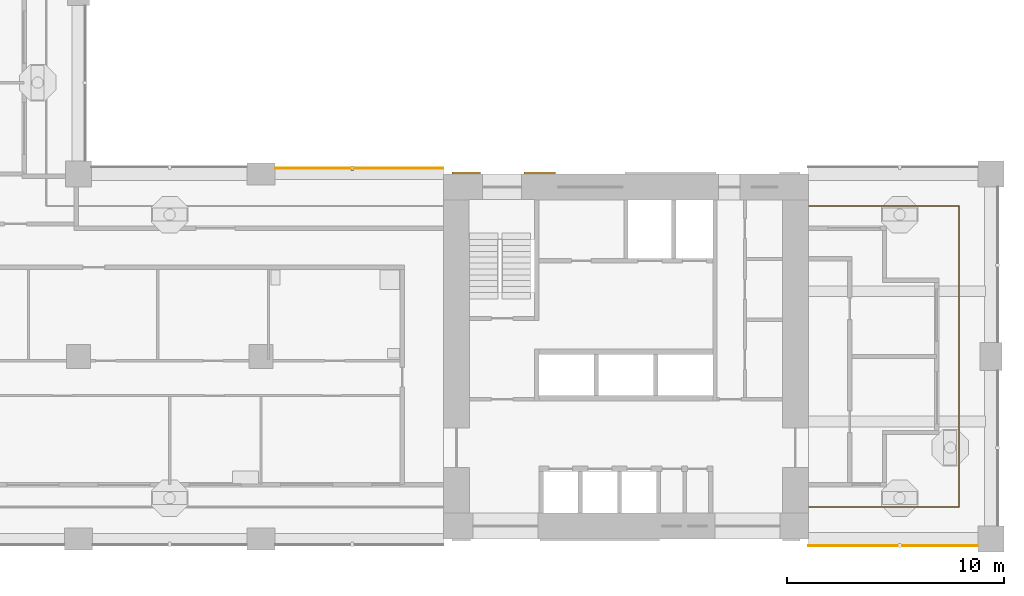
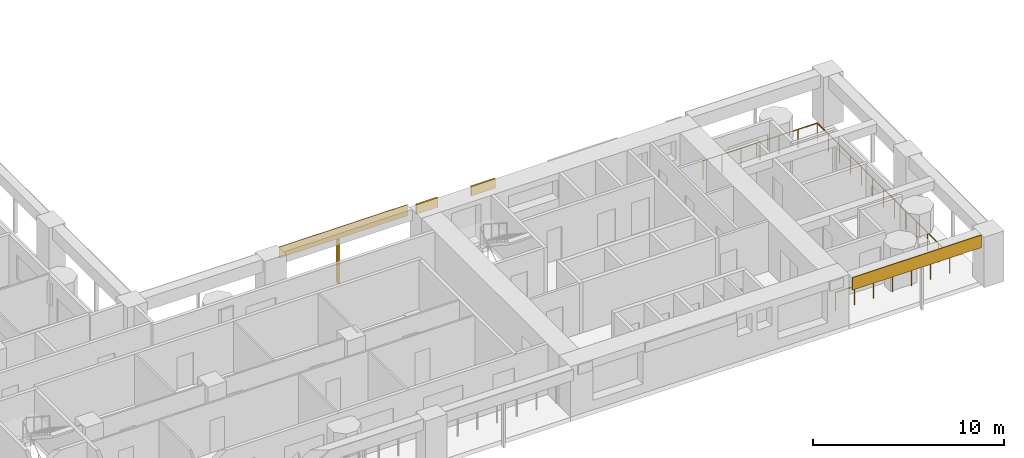
# One storey, part 12 of 18: 5 shading devices, 1 railing.
"""IFC4 building model written with IfcOpenShell, lengths in metres."""

import ifcopenshell
import ifcopenshell.guid

model = None  # the IFC model being written
_history = None  # IfcOwnerHistory: only IFC2X3 demands one
_inside = {}  # id of a spatial element -> (the spatial element, [elements in it])
_under = {}  # id of a project, library or spatial element -> (it, [spatial elements below it])
_declared = {}  # id of a project -> (the project, [libraries it declares])
_typed = {}  # id of a type object -> (the type object, [elements of that type])
_made_of = {}  # id of a material, layer set ... -> (it, [elements and type objects made of it])


def new_model(schema):
    """Start an empty IFC model of exactly this schema.

    Asked for "IFC4X3", IfcOpenShell would pick the latest addendum, in which some entities
    have other attributes; the version numbers below select the first issue.
    IFC2X3 requires an IfcOwnerHistory on every rooted entity: one is made here for all.
    """
    global model, _history
    if schema == "IFC4X3":
        model = ifcopenshell.file(schema_version=(4, 3, 0, 0))
    else:
        model = ifcopenshell.file(schema=schema)
    _inside.clear()
    _under.clear()
    _declared.clear()
    _typed.clear()
    _made_of.clear()
    _history = None
    if model.schema == "IFC2X3":
        org = make("IfcOrganization", Name="unknown")
        user = make(
            "IfcPersonAndOrganization",
            ThePerson=make("IfcPerson", FamilyName="unknown"),
            TheOrganization=org,
        )
        app = make(
            "IfcApplication",
            ApplicationDeveloper=org,
            Version="unknown",
            ApplicationFullName="unknown",
            ApplicationIdentifier="unknown",
        )
        _history = make(
            "IfcOwnerHistory",
            OwningUser=user,
            OwningApplication=app,
            ChangeAction="ADDED",
            CreationDate=0,
        )
    return model


def make(cls, **values):
    """One entity of the class cls with the attributes given. An attribute that is None is left unset."""
    return model.create_entity(
        cls, **{name: value for name, value in values.items() if value is not None}
    )


def rooted(cls, **values):
    """An entity with a GlobalId (a new one), such as an element, a storey or a relation."""
    return make(cls, GlobalId=ifcopenshell.guid.new(), OwnerHistory=_history, **values)


def si_unit(unit_type, name, prefix=None):
    """IfcSIUnit, for example si_unit("LENGTHUNIT", "METRE", prefix="MILLI")."""
    return make("IfcSIUnit", UnitType=unit_type, Prefix=prefix, Name=name)


def assignment(units):
    """IfcUnitAssignment: the units of a project."""
    return None if units is None else make("IfcUnitAssignment", Units=units)


def point(xyz):
    """IfcCartesianPoint."""
    return None if xyz is None else make("IfcCartesianPoint", Coordinates=xyz)


def direction(xyz):
    """IfcDirection."""
    return None if xyz is None else make("IfcDirection", DirectionRatios=xyz)


def frame(location, z_axis=None, x_axis=None):
    """IfcAxis2Placement3D, a coordinate frame: its origin and axes. An axis left out is left unset."""
    return make(
        "IfcAxis2Placement3D",
        Location=point(location),
        Axis=direction(z_axis),
        RefDirection=direction(x_axis),
    )


def frame_2d(location, x_axis=None):
    """IfcAxis2Placement2D, a coordinate frame in the plane: its origin and x axis."""
    return make(
        "IfcAxis2Placement2D", Location=point(location), RefDirection=direction(x_axis)
    )


def origin():
    """The frame at (0, 0, 0) with its axes left unset."""
    return frame((0.0, 0.0, 0.0))


def origin_2d():
    """The frame at (0, 0) in the plane with its x axis left unset."""
    return frame_2d((0.0, 0.0))


def place(relative_to, where):
    """IfcLocalPlacement: puts the frame where relative to a parent placement (None: the world)."""
    return make(
        "IfcLocalPlacement", PlacementRelTo=relative_to, RelativePlacement=where
    )


def context(
    kind, dimensions, precision=None, world=None, true_north=None, identifier=None
):
    """IfcGeometricRepresentationContext, for example the 3D "Model" context."""
    return make(
        "IfcGeometricRepresentationContext",
        ContextIdentifier=identifier,
        ContextType=kind,
        CoordinateSpaceDimension=dimensions,
        Precision=precision,
        WorldCoordinateSystem=world,
        TrueNorth=true_north,
    )


def subcontext(parent, identifier, kind, view, scale=None):
    """IfcGeometricRepresentationSubContext, for example "Body" below "Model"."""
    return make(
        "IfcGeometricRepresentationSubContext",
        ContextIdentifier=identifier,
        ContextType=kind,
        ParentContext=parent,
        TargetScale=scale,
        TargetView=view,
    )


def project(units=None, contexts=None):
    """IfcProject with its units and contexts."""
    return rooted(
        "IfcProject",
        Name="project",
        RepresentationContexts=contexts,
        UnitsInContext=assignment(units),
    )


def spatial(cls, under=None, at=None, **own):
    """A site, building, storey or space (cls), placed at a placement, below another one or the project."""
    s = rooted(cls, ObjectPlacement=at, **own)
    if under is not None:
        _under.setdefault(under.id(), (under, []))[1].append(s)
    return s


def profile(cls, at=None, kind="AREA", **sizes):
    """A parametric profile (cls). Its sizes go by their IFC names, for example OverallWidth=200.0."""
    return make(cls, ProfileType=kind, Position=at, **sizes)


def rectangle(**sizes):
    """IfcRectangleProfileDef."""
    return profile("IfcRectangleProfileDef", **sizes)


def circle(**sizes):
    """IfcCircleProfileDef."""
    return profile("IfcCircleProfileDef", **sizes)


def extrude(swept, where, along, depth):
    """IfcExtrudedAreaSolid: the profile swept, set in the frame where, extruded along a direction by depth."""
    return make(
        "IfcExtrudedAreaSolid",
        SweptArea=swept,
        Position=where,
        ExtrudedDirection=direction(along),
        Depth=depth,
    )


def shape(context_of_items, identifier, shape_type, items):
    """IfcShapeRepresentation: the items that make up one representation, for example the "Body"."""
    return make(
        "IfcShapeRepresentation",
        ContextOfItems=context_of_items,
        RepresentationIdentifier=identifier,
        RepresentationType=shape_type,
        Items=items,
    )


def material(Name=None, Category=None):
    """IfcMaterial."""
    return make("IfcMaterial", Name=Name, Category=Category)


def layer(
    of_material, thickness, ventilated=None, Name=None, Category=None, Priority=None
):
    """IfcMaterialLayer: one layer of a wall or slab, of a material (None: an air gap)."""
    return make(
        "IfcMaterialLayer",
        Material=of_material,
        LayerThickness=thickness,
        IsVentilated=ventilated,
        Name=Name,
        Category=Category,
        Priority=Priority,
    )


def layer_set(layers, Name=None):
    """IfcMaterialLayerSet."""
    return make("IfcMaterialLayerSet", MaterialLayers=layers, LayerSetName=Name)


def material_profile(
    of_material, cross_section, Name=None, Category=None, Priority=None
):
    """IfcMaterialProfile: a cross section and its material."""
    return make(
        "IfcMaterialProfile",
        Name=Name,
        Material=of_material,
        Profile=cross_section,
        Priority=Priority,
        Category=Category,
    )


def profile_set(profiles, Name=None, composite=None):
    """IfcMaterialProfileSet."""
    return make(
        "IfcMaterialProfileSet",
        Name=Name,
        MaterialProfiles=profiles,
        CompositeProfile=composite,
    )


def made_of(thing, what):
    """Note that an element or type object is made of a material, layer set ...; save() writes the relation."""
    if what is not None:
        _made_of.setdefault(what.id(), (what, []))[1].append(thing)
    return thing


def type_object(cls, material=None, **own):
    """A type object (cls), such as IfcWallType, which elements share."""
    return made_of(rooted(cls, **own), material)


def element(
    cls,
    number,
    at=None,
    inside=None,
    cuts=None,
    type_object=None,
    material=None,
    context=None,
    identifier="Body",
    shape_type=None,
    held_by="IfcProductDefinitionShape",
    body=None,
    shapes=None,
    **own,
):
    """One element of the class cls, such as IfcWall. Its Tag is "e" and its number.

    at: its placement. inside: the storey or other place that contains it. cuts: it is an
    opening in that element (IfcRelVoidsElement). A single representation is given by context,
    identifier, shape_type and body (its items); several are given by shapes. held_by: the class
    of the entity that holds the representations. save() writes the other relations.
    """
    e = rooted(cls, Tag="e%d" % number, ObjectPlacement=at, **own)
    if body is not None:
        shapes = [shape(context, identifier, shape_type, body)]
    if shapes is not None:
        e.Representation = make(held_by, Representations=shapes)
    if inside is not None:
        _inside.setdefault(inside.id(), (inside, []))[1].append(e)
    if cuts is not None:
        rooted(
            "IfcRelVoidsElement", RelatingBuildingElement=cuts, RelatedOpeningElement=e
        )
    if type_object is not None:
        _typed.setdefault(type_object.id(), (type_object, []))[1].append(e)
    return made_of(e, material)


def aggregate(whole, parts):
    """IfcRelAggregates: a whole, such as a stair, and the parts it consists of."""
    return rooted("IfcRelAggregates", RelatingObject=whole, RelatedObjects=parts)


def save(model, path):
    """Write the relations noted so far, then the file.

    IfcRelAggregates (storeys below a building ...), IfcRelContainedInSpatialStructure (elements
    in a storey), IfcRelDefinesByType, IfcRelAssociatesMaterial and IfcRelDeclares: one each for
    every whole, place, type object, material and project.
    """
    for whole, parts in _under.values():
        aggregate(whole, parts)
    for where, things in _inside.values():
        rooted(
            "IfcRelContainedInSpatialStructure",
            RelatedElements=things,
            RelatingStructure=where,
        )
    for kind, things in _typed.values():
        rooted("IfcRelDefinesByType", RelatedObjects=things, RelatingType=kind)
    for what, things in _made_of.values():
        rooted("IfcRelAssociatesMaterial", RelatedObjects=things, RelatingMaterial=what)
    for by, libraries in _declared.values():
        rooted("IfcRelDeclares", RelatingContext=by, RelatedDefinitions=libraries)
    model.write(path)


model = new_model("IFC4")

# Units and contexts
model_context = context("Model", 3, precision=1e-05, world=origin(), true_north=direction((0.0, 1.0)))
body_context = subcontext(model_context, "Body", "Model", "MODEL_VIEW")
ifc_project = project(units=[si_unit("LENGTHUNIT", "METRE"), si_unit("AREAUNIT", "SQUARE_METRE"), si_unit("VOLUMEUNIT", "CUBIC_METRE"), si_unit("PLANEANGLEUNIT", "RADIAN"), si_unit("MASSUNIT", "GRAM", prefix="KILO")], contexts=[model_context])

# Site, building, storey
site_placement = place(None, origin())
site = spatial("IfcSite", under=ifc_project, at=site_placement, CompositionType="ELEMENT")
building_placement = place(site_placement, origin())
building = spatial("IfcBuilding", under=site, at=building_placement, Name="Vermilion Gate Residences", CompositionType="ELEMENT")
storey_placement = place(building_placement, frame((0.0, 0.0, 81.199951171875)))
storey = spatial("IfcBuildingStorey", under=building, at=storey_placement, Name="L19", CompositionType="ELEMENT", Elevation=81.199951171875)

# Railing
ifc_material_1 = material(Name="Stainless steel and toughened glass", Category="steel")
railing_type = type_object("IfcRailingType", Name="LOGGIA GUARD STEEL AND GLASS 1200", PredefinedType="GUARDRAIL", material=ifc_material_1)
railing_placement = place(storey_placement, frame((58.822021484375, 9.875, 0.0)))
element("IfcRailing", 1, at=railing_placement, inside=storey, type_object=railing_type, Name="Loggia guard", PredefinedType="GUARDRAIL", context=body_context, shape_type="SweptSolid", body=[
    extrude(circle(Radius=0.030029296875, at=origin_2d()), frame((0.0, 0.0, 1.169921875), z_axis=(1.0, 0.0, 0.0), x_axis=(0.0, 1.0, 0.0)), (0.0, 0.0, 1.0), 6.903076171875),
    extrude(circle(Radius=0.030029296875, at=origin_2d()), frame((6.903076171875, 0.0, 1.169921875), z_axis=(0.0, 1.0, 0.0), x_axis=(-1.0, 0.0, 0.0)), (0.0, 0.0, 1.0), 13.85009765625),
    extrude(circle(Radius=0.030029296875, at=origin_2d()), frame((6.903076171875, 13.85009765625, 1.169921875), z_axis=(-1.0, 0.0, 0.0), x_axis=(0.0, -1.0, 0.0)), (0.0, 0.0, 1.0), 6.903076171875),
    extrude(circle(Radius=0.02490234375, at=origin_2d()), origin(), (0.0, 0.0, 1.0), 1.139892578125),
    extrude(circle(Radius=0.02490234375, at=origin_2d()), frame((1.150390625, 0.0, 0.0)), (0.0, 0.0, 1.0), 1.139892578125),
    extrude(circle(Radius=0.02490234375, at=origin_2d()), frame((2.301025390625, 0.0, 0.0)), (0.0, 0.0, 1.0), 1.139892578125),
    extrude(circle(Radius=0.02490234375, at=origin_2d()), frame((3.45166015625, 0.0, 0.0)), (0.0, 0.0, 1.0), 1.139892578125),
    extrude(circle(Radius=0.02490234375, at=origin_2d()), frame((4.60205078125, 0.0, 0.0)), (0.0, 0.0, 1.0), 1.139892578125),
    extrude(circle(Radius=0.02490234375, at=origin_2d()), frame((5.75244140625, 0.0, 0.0)), (0.0, 0.0, 1.0), 1.139892578125),
    extrude(circle(Radius=0.02490234375, at=origin_2d()), frame((6.903076171875, 0.0, 0.0)), (0.0, 0.0, 1.0), 1.139892578125),
    extrude(circle(Radius=0.02490234375, at=origin_2d()), frame((6.903076171875, 1.154296875, 0.0)), (0.0, 0.0, 1.0), 1.139892578125),
    extrude(circle(Radius=0.02490234375, at=origin_2d()), frame((6.903076171875, 2.308349609375, 0.0)), (0.0, 0.0, 1.0), 1.139892578125),
    extrude(circle(Radius=0.02490234375, at=origin_2d()), frame((6.903076171875, 3.46240234375, 0.0)), (0.0, 0.0, 1.0), 1.139892578125),
    extrude(circle(Radius=0.02490234375, at=origin_2d()), frame((6.903076171875, 4.61669921875, 0.0)), (0.0, 0.0, 1.0), 1.139892578125),
    extrude(circle(Radius=0.02490234375, at=origin_2d()), frame((6.903076171875, 5.77099609375, 0.0)), (0.0, 0.0, 1.0), 1.139892578125),
    extrude(circle(Radius=0.02490234375, at=origin_2d()), frame((6.903076171875, 6.925048828125, 0.0)), (0.0, 0.0, 1.0), 1.139892578125),
    extrude(circle(Radius=0.02490234375, at=origin_2d()), frame((6.903076171875, 8.0791015625, 0.0)), (0.0, 0.0, 1.0), 1.139892578125),
    extrude(circle(Radius=0.02490234375, at=origin_2d()), frame((6.903076171875, 9.2333984375, 0.0)), (0.0, 0.0, 1.0), 1.139892578125),
    extrude(circle(Radius=0.02490234375, at=origin_2d()), frame((6.903076171875, 10.3876953125, 0.0)), (0.0, 0.0, 1.0), 1.139892578125),
    extrude(circle(Radius=0.02490234375, at=origin_2d()), frame((6.903076171875, 11.541748046875, 0.0)), (0.0, 0.0, 1.0), 1.139892578125),
    extrude(circle(Radius=0.02490234375, at=origin_2d()), frame((6.903076171875, 12.69580078125, 0.0)), (0.0, 0.0, 1.0), 1.139892578125),
    extrude(circle(Radius=0.02490234375, at=origin_2d()), frame((6.903076171875, 13.85009765625, 0.0)), (0.0, 0.0, 1.0), 1.139892578125),
    extrude(circle(Radius=0.02490234375, at=origin_2d()), frame((5.75244140625, 13.85009765625, 0.0)), (0.0, 0.0, 1.0), 1.139892578125),
    extrude(circle(Radius=0.02490234375, at=origin_2d()), frame((4.60205078125, 13.85009765625, 0.0)), (0.0, 0.0, 1.0), 1.139892578125),
    extrude(circle(Radius=0.02490234375, at=origin_2d()), frame((3.45166015625, 13.85009765625, 0.0)), (0.0, 0.0, 1.0), 1.139892578125),
    extrude(circle(Radius=0.02490234375, at=origin_2d()), frame((2.301025390625, 13.85009765625, 0.0)), (0.0, 0.0, 1.0), 1.139892578125),
    extrude(circle(Radius=0.02490234375, at=origin_2d()), frame((1.150390625, 13.85009765625, 0.0)), (0.0, 0.0, 1.0), 1.139892578125),
    extrude(circle(Radius=0.02490234375, at=origin_2d()), frame((0.0, 13.85009765625, 0.0)), (0.0, 0.0, 1.0), 1.139892578125),
])

# Shading devices
ifc_material_2 = material(Name="Perforated terracotta", Category="masonry")
ifc_layer_1 = layer(ifc_material_2, 0.0400390625)
ifc_layer_set_1 = layer_set([ifc_layer_1], Name="PERFORATED TERRACOTTA SCREEN 40")
shading_device_type_1 = type_object("IfcShadingDeviceType", Name="PERFORATED TERRACOTTA SCREEN 40", PredefinedType="SHUTTER", material=ifc_layer_set_1)
shading_device_1_placement = place(storey_placement, frame((62.699951171875, 8.080078125, 2.419921875), z_axis=(0.0, 0.0, 1.0), x_axis=(1.0, 0.0, 0.0)))
element("IfcShadingDevice", 2, at=shading_device_1_placement, inside=storey, type_object=shading_device_type_1, Name="SCREEN", PredefinedType="SHUTTER", context=body_context, shape_type="SweptSolid", body=[
    extrude(rectangle(XDim=7.800048828125, YDim=0.0400390625, at=origin_2d()), origin(), (0.0, 0.0, 1.0), 0.800048828125),
])
shading_device_2_placement = place(storey_placement, frame((38.125, 25.469970703125, 2.52001953125), z_axis=(0.0, 0.0, 1.0), x_axis=(-1.0, 0.0, 0.0)))
element("IfcShadingDevice", 3, at=shading_device_2_placement, inside=storey, type_object=shading_device_type_1, Name="SCREEN", PredefinedType="SHUTTER", context=body_context, shape_type="SweptSolid", body=[
    extrude(rectangle(XDim=7.75, YDim=0.0400390625, at=origin_2d()), origin(), (0.0, 0.0, 1.0), 0.699951171875),
])
ifc_material_3 = material(Name="Extruded terracotta", Category="masonry")
ifc_material_profile = material_profile(ifc_material_3, rectangle(XDim=0.199951171875, YDim=0.10009765625, at=origin_2d()), Name="BAGUETTE 100 X 200")
ifc_profile_set = profile_set([ifc_material_profile], Name="Extruded terracotta")
shading_device_type_2 = type_object("IfcShadingDeviceType", Name="TERRACOTTA BAGUETTE 100 X 200", PredefinedType="JALOUSIE", material=ifc_profile_set)
shading_device_3_placement = place(storey_placement, frame((37.800048828125, 25.449951171875, -0.280029296875), z_axis=(0.0, 0.0, 1.0), x_axis=(0.0, -1.0, 0.0)))
element("IfcShadingDevice", 4, at=shading_device_3_placement, inside=storey, type_object=shading_device_type_2, Name="BAGUETTE", PredefinedType="JALOUSIE", context=body_context, shape_type="SweptSolid", body=[
    extrude(rectangle(XDim=0.199951171875, YDim=0.10009765625, at=origin_2d()), origin(), (0.0, 0.0, 1.0), 2.800048828125),
])
ifc_material_4 = material(Name="Extruded terracotta", Category="masonry")
ifc_layer_2 = layer(ifc_material_4, 0.10009765625)
ifc_layer_set_2 = layer_set([ifc_layer_2], Name="TERRACOTTA SPANDREL BAND 600 X 100")
shading_device_type_3 = type_object("IfcShadingDeviceType", Name="TERRACOTTA SPANDREL BAND 600 X 100", PredefinedType="USERDEFINED", material=ifc_layer_set_2)
shading_device_4_placement = place(storey_placement, frame((43.050048828125, 25.25, 2.6201171875), z_axis=(0.0, 0.0, 1.0), x_axis=(1.0, 0.0, 0.0)))
element("IfcShadingDevice", 5, at=shading_device_4_placement, inside=storey, type_object=shading_device_type_3, Name="SPANDREL BAND", ObjectType="BAND", PredefinedType="USERDEFINED", context=body_context, shape_type="SweptSolid", body=[
    extrude(rectangle(XDim=1.300048828125, YDim=0.10009765625, at=origin_2d()), origin(), (0.0, 0.0, 1.0), 0.60009765625),
])
shading_device_5_placement = place(storey_placement, frame((46.425048828125, 25.25, 2.6201171875), z_axis=(0.0, 0.0, 1.0), x_axis=(1.0, 0.0, 0.0)))
element("IfcShadingDevice", 6, at=shading_device_5_placement, inside=storey, type_object=shading_device_type_3, Name="SPANDREL BAND", ObjectType="BAND", PredefinedType="USERDEFINED", context=body_context, shape_type="SweptSolid", body=[
    extrude(rectangle(XDim=1.449951171875, YDim=0.10009765625, at=origin_2d()), origin(), (0.0, 0.0, 1.0), 0.60009765625),
])

save(model, "model.ifc")
